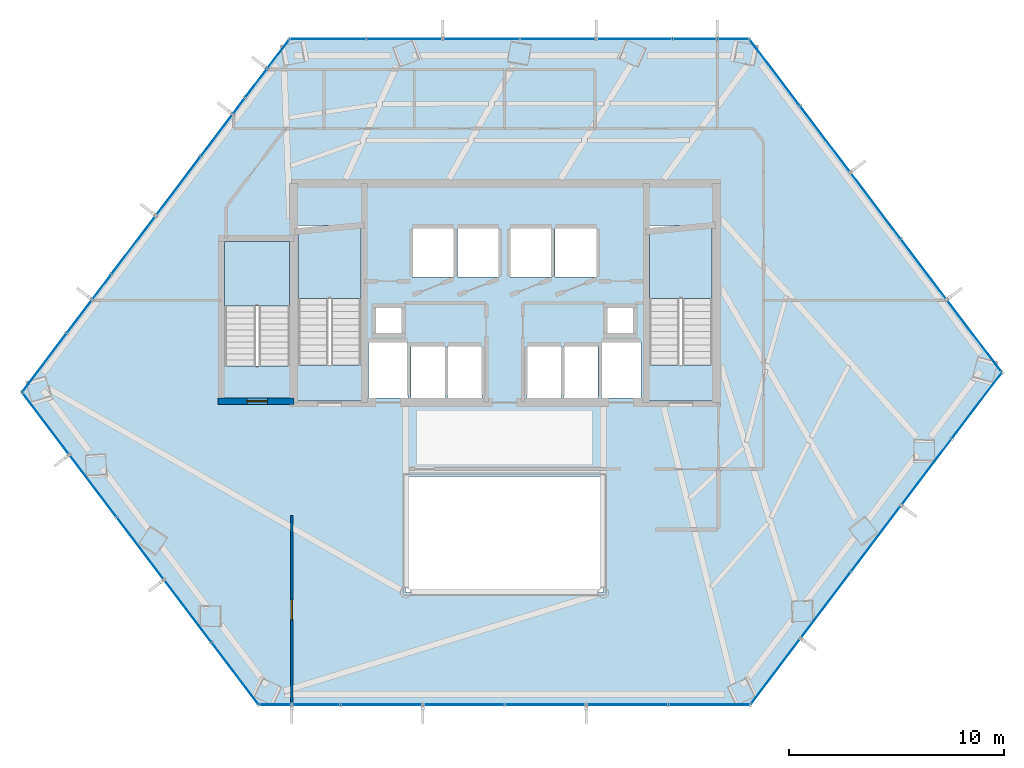
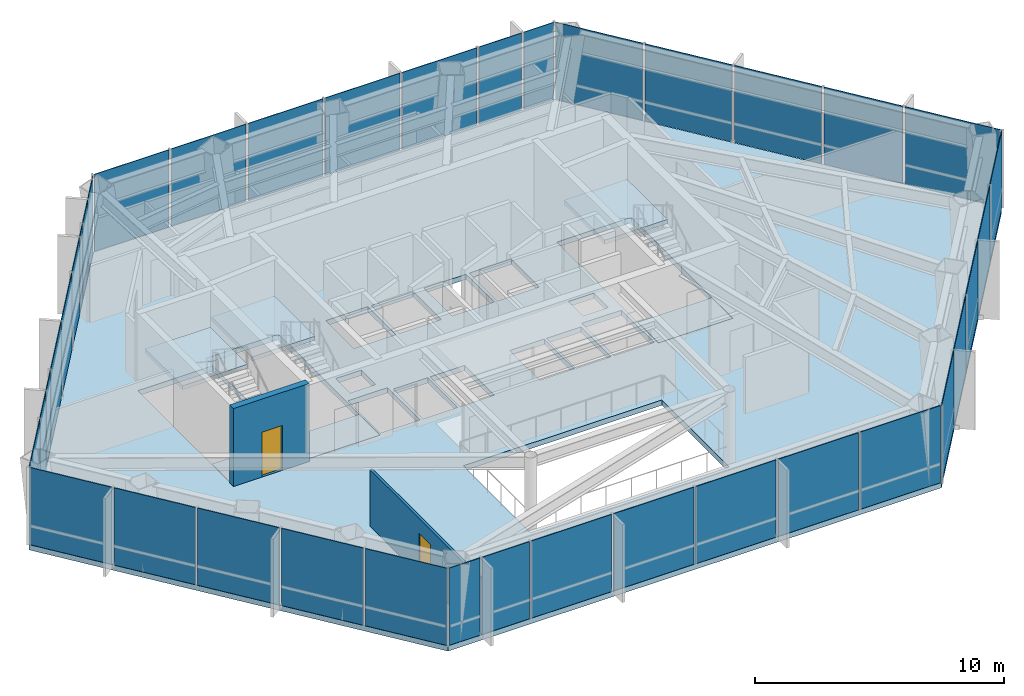
# One storey, part 22 of 26: 38 plates, 7 slabs, 2 doors, 2 walls, 2 openings, 9 elements without a shape of their own.
"""IFC4 building model written with IfcOpenShell, lengths in metres."""

from ifc_helpers import new_model, si_unit, direction, frame, frame_2d, origin, origin_2d, place, context, subcontext, project, spatial, polyline, rectangle, outline, extrude, material, layer, layer_set, type_object, element, fill, aggregate, save


model = new_model("IFC4")

# Units and contexts
model_context = context("Model", 3, precision=1e-05, world=origin(), true_north=direction((0.0, 1.0)))
body_context = subcontext(model_context, "Body", "Model", "MODEL_VIEW")
ifc_project = project(units=[si_unit("LENGTHUNIT", "METRE"), si_unit("AREAUNIT", "SQUARE_METRE"), si_unit("VOLUMEUNIT", "CUBIC_METRE"), si_unit("PLANEANGLEUNIT", "RADIAN"), si_unit("MASSUNIT", "GRAM", prefix="KILO")], contexts=[model_context])

# Site, building, storey
site_placement = place(None, origin())
site = spatial("IfcSite", under=ifc_project, at=site_placement, CompositionType="ELEMENT")
building_placement = place(site_placement, origin())
building = spatial("IfcBuilding", under=site, at=building_placement, Name="Zarrinselat Tower", CompositionType="ELEMENT")
storey_placement = place(building_placement, frame((0.0, 0.0, 35.699951171875)))
storey = spatial("IfcBuildingStorey", under=building, at=storey_placement, Name="L08", CompositionType="ELEMENT", Elevation=35.699951171875)

# Curtain wall, plates
ifc_material_1 = material(Name="Extruded Aluminium Alloy EN AW-6063 T6", Category="aluminium")
ifc_layer_1 = layer(ifc_material_1, 0.18505859375)
ifc_layer_set_1 = layer_set([ifc_layer_1], Name="Extruded Aluminium Alloy EN AW-6063 T6")
curtain_wall_type = type_object("IfcCurtainWallType", Name="CWS-OFF", PredefinedType="NOTDEFINED", material=ifc_layer_set_1)
curtain_wall_1_placement = place(storey_placement, origin())
curtain_wall_1 = element("IfcCurtainWall", 1, at=curtain_wall_1_placement, inside=storey, type_object=curtain_wall_type, Name="L08 Unitised Curtain Wall CW-L08-E01", PredefinedType="NOTDEFINED")
ifc_material_2 = material(Name="Double Low-E Laminated Solar Glass", Category="glass")
ifc_layer_2 = layer(ifc_material_2, 0.031982421875)
ifc_layer_set_2 = layer_set([ifc_layer_2], Name="Double Low-E Laminated Solar Glass")
plate_type = type_object("IfcPlateType", Name="PLT-CW-GL32", PredefinedType="CURTAIN_PANEL", material=ifc_layer_set_2)
plate_1_placement = place(storey_placement, frame((49.044677734375, 50.1611328125, 0.02001953125), z_axis=(0.0, 0.0, 1.0), x_axis=(-1.0, 0.0, 0.0)))
plate_1 = element("IfcPlate", 2, at=plate_1_placement, type_object=plate_type, Name="CW-L08-E01 Vision Glass Panel 1", PredefinedType="CURTAIN_PANEL", context=body_context, shape_type="SweptSolid", body=[
    extrude(rectangle(XDim=1.389404296875, YDim=0.031982421875, at=origin_2d()), origin(), (0.0, 0.0, 1.0), 3.780029296875),
])
plate_2_placement = place(storey_placement, frame((47.26220703125, 50.1611328125, 0.02001953125), z_axis=(0.0, 0.0, 1.0), x_axis=(-1.0, 0.0, 0.0)))
plate_2 = element("IfcPlate", 3, at=plate_2_placement, type_object=plate_type, Name="CW-L08-E01 Vision Glass Panel 2", PredefinedType="CURTAIN_PANEL", context=body_context, shape_type="SweptSolid", body=[
    extrude(rectangle(XDim=1.9755859375, YDim=0.031982421875, at=origin_2d()), origin(), (0.0, 0.0, 1.0), 3.780029296875),
])
plate_3_placement = place(storey_placement, frame((44.44189453125, 50.1611328125, 0.02001953125), z_axis=(0.0, 0.0, 1.0), x_axis=(-1.0, 0.0, 0.0)))
plate_3 = element("IfcPlate", 4, at=plate_3_placement, type_object=plate_type, Name="CW-L08-E01 Vision Glass Panel 3", PredefinedType="CURTAIN_PANEL", context=body_context, shape_type="SweptSolid", body=[
    extrude(rectangle(XDim=3.465087890625, YDim=0.031982421875, at=origin_2d()), origin(), (0.0, 0.0, 1.0), 3.780029296875),
])
plate_4_placement = place(storey_placement, frame((40.876953125, 50.1611328125, 0.02001953125), z_axis=(0.0, 0.0, 1.0), x_axis=(-1.0, 0.0, 0.0)))
plate_4 = element("IfcPlate", 5, at=plate_4_placement, type_object=plate_type, Name="CW-L08-E01 Vision Glass Panel 4", PredefinedType="CURTAIN_PANEL", context=body_context, shape_type="SweptSolid", body=[
    extrude(rectangle(XDim=3.465087890625, YDim=0.031982421875, at=origin_2d()), origin(), (0.0, 0.0, 1.0), 3.780029296875),
])
plate_5_placement = place(storey_placement, frame((37.31201171875, 50.1611328125, 0.02001953125), z_axis=(0.0, 0.0, 1.0), x_axis=(-1.0, 0.0, 0.0)))
plate_5 = element("IfcPlate", 6, at=plate_5_placement, type_object=plate_type, Name="CW-L08-E01 Vision Glass Panel 5", PredefinedType="CURTAIN_PANEL", context=body_context, shape_type="SweptSolid", body=[
    extrude(rectangle(XDim=3.465087890625, YDim=0.031982421875, at=origin_2d()), origin(), (0.0, 0.0, 1.0), 3.780029296875),
])
plate_6_placement = place(storey_placement, frame((33.746826171875, 50.1611328125, 0.02001953125), z_axis=(0.0, 0.0, 1.0), x_axis=(-1.0, 0.0, 0.0)))
plate_6 = element("IfcPlate", 7, at=plate_6_placement, type_object=plate_type, Name="CW-L08-E01 Vision Glass Panel 6", PredefinedType="CURTAIN_PANEL", context=body_context, shape_type="SweptSolid", body=[
    extrude(rectangle(XDim=3.465087890625, YDim=0.031982421875, at=origin_2d()), origin(), (0.0, 0.0, 1.0), 3.780029296875),
])
plate_7_placement = place(storey_placement, frame((30.181884765625, 50.1611328125, 0.02001953125), z_axis=(0.0, 0.0, 1.0), x_axis=(-1.0, 0.0, 0.0)))
plate_7 = element("IfcPlate", 8, at=plate_7_placement, type_object=plate_type, Name="CW-L08-E01 Vision Glass Panel 7", PredefinedType="CURTAIN_PANEL", context=body_context, shape_type="SweptSolid", body=[
    extrude(rectangle(XDim=3.465087890625, YDim=0.031982421875, at=origin_2d()), origin(), (0.0, 0.0, 1.0), 3.780029296875),
])
aggregate(curtain_wall_1, [plate_1, plate_2, plate_3, plate_4, plate_5, plate_6, plate_7])

curtain_wall_2_placement = place(storey_placement, origin())
curtain_wall_2 = element("IfcCurtainWall", 9, at=curtain_wall_2_placement, inside=storey, type_object=curtain_wall_type, Name="L08 Unitised Curtain Wall CW-L08-E02", PredefinedType="NOTDEFINED")
plate_8_placement = place(storey_placement, frame((27.878662109375, 49.4736328125, 0.02001953125), z_axis=(0.0, 0.0, 1.0), x_axis=(-0.603858715485, -0.797091369752, 0.0)))
plate_8 = element("IfcPlate", 10, at=plate_8_placement, type_object=plate_type, Name="CW-L08-E02 Vision Glass Panel 1", PredefinedType="CURTAIN_PANEL", context=body_context, shape_type="SweptSolid", body=[
    extrude(rectangle(XDim=1.624755859375, YDim=0.031982421875, at=origin_2d()), origin(), (0.0, 0.0, 1.0), 3.780029296875),
])
plate_9_placement = place(storey_placement, frame((26.84130859375, 48.1044921875, 0.02001953125), z_axis=(0.0, 0.0, 1.0), x_axis=(-0.603858715485, -0.797091369752, 0.0)))
plate_9 = element("IfcPlate", 11, at=plate_9_placement, type_object=plate_type, Name="CW-L08-E02 Vision Glass Panel 2", PredefinedType="CURTAIN_PANEL", context=body_context, shape_type="SweptSolid", body=[
    extrude(rectangle(XDim=1.610595703125, YDim=0.031982421875, at=origin_2d()), origin(), (0.0, 0.0, 1.0), 3.780029296875),
])
plate_10_placement = place(storey_placement, frame((26.03857421875, 47.044921875, 0.02001953125), z_axis=(0.0, 0.0, 1.0), x_axis=(-0.603858715485, -0.797091369752, 0.0)))
plate_10 = element("IfcPlate", 12, at=plate_10_placement, type_object=plate_type, Name="CW-L08-E02 Vision Glass Panel 3", PredefinedType="CURTAIN_PANEL", context=body_context, shape_type="SweptSolid", body=[
    extrude(rectangle(XDim=0.8486328125, YDim=0.031982421875, at=origin_2d()), origin(), (0.0, 0.0, 1.0), 3.780029296875),
])
plate_11_placement = place(storey_placement, frame((25.001220703125, 45.67578125, 0.02001953125), z_axis=(0.0, 0.0, 1.0), x_axis=(-0.603858715485, -0.797091369752, 0.0)))
plate_11 = element("IfcPlate", 13, at=plate_11_placement, type_object=plate_type, Name="CW-L08-E02 Vision Glass Panel 4", PredefinedType="CURTAIN_PANEL", context=body_context, shape_type="SweptSolid", body=[
    extrude(rectangle(XDim=2.38671875, YDim=0.031982421875, at=origin_2d()), origin(), (0.0, 0.0, 1.0), 3.780029296875),
])
plate_12_placement = place(storey_placement, frame((23.21337890625, 43.3154296875, 0.02001953125), z_axis=(0.0, 0.0, 1.0), x_axis=(-0.603858715485, -0.797091369752, 0.0)))
plate_12 = element("IfcPlate", 14, at=plate_12_placement, type_object=plate_type, Name="CW-L08-E02 Vision Glass Panel 5", PredefinedType="CURTAIN_PANEL", context=body_context, shape_type="SweptSolid", body=[
    extrude(rectangle(XDim=3.335205078125, YDim=0.031982421875, at=origin_2d()), origin(), (0.0, 0.0, 1.0), 3.780029296875),
])
plate_13_placement = place(storey_placement, frame((21.138916015625, 40.5771484375, 0.02001953125), z_axis=(0.0, 0.0, 1.0), x_axis=(-0.603858715485, -0.797091369752, 0.0)))
plate_13 = element("IfcPlate", 15, at=plate_13_placement, type_object=plate_type, Name="CW-L08-E02 Vision Glass Panel 6", PredefinedType="CURTAIN_PANEL", context=body_context, shape_type="SweptSolid", body=[
    extrude(rectangle(XDim=3.335205078125, YDim=0.031982421875, at=origin_2d()), origin(), (0.0, 0.0, 1.0), 3.780029296875),
])
plate_14_placement = place(storey_placement, frame((19.65771484375, 38.6220703125, 0.02001953125), z_axis=(0.0, 0.0, 1.0), x_axis=(-0.603858715485, -0.797091369752, 0.0)))
plate_14 = element("IfcPlate", 16, at=plate_14_placement, type_object=plate_type, Name="CW-L08-E02 Vision Glass Panel 7", PredefinedType="CURTAIN_PANEL", context=body_context, shape_type="SweptSolid", body=[
    extrude(rectangle(XDim=1.3701171875, YDim=0.031982421875, at=origin_2d()), origin(), (0.0, 0.0, 1.0), 3.780029296875),
])
plate_15_placement = place(storey_placement, frame((18.62060546875, 37.2529296875, 0.02001953125), z_axis=(0.0, 0.0, 1.0), x_axis=(-0.603858715485, -0.797091369752, 0.0)))
plate_15 = element("IfcPlate", 17, at=plate_15_placement, type_object=plate_type, Name="CW-L08-E02 Vision Glass Panel 8", PredefinedType="CURTAIN_PANEL", context=body_context, shape_type="SweptSolid", body=[
    extrude(rectangle(XDim=1.865234375, YDim=0.031982421875, at=origin_2d()), origin(), (0.0, 0.0, 1.0), 3.780029296875),
])
plate_16_placement = place(storey_placement, frame((16.989990234375, 35.1005859375, 0.02001953125), z_axis=(0.0, 0.0, 1.0), x_axis=(-0.603858715485, -0.797091369752, 0.0)))
plate_16 = element("IfcPlate", 18, at=plate_16_placement, type_object=plate_type, Name="CW-L08-E02 Vision Glass Panel 9", PredefinedType="CURTAIN_PANEL", context=body_context, shape_type="SweptSolid", body=[
    extrude(rectangle(XDim=3.335205078125, YDim=0.031982421875, at=origin_2d()), origin(), (0.0, 0.0, 1.0), 3.780029296875),
])
aggregate(curtain_wall_2, [plate_8, plate_9, plate_10, plate_11, plate_12, plate_13, plate_14, plate_15, plate_16])

curtain_wall_3_placement = place(storey_placement, origin())
curtain_wall_3 = element("IfcCurtainWall", 19, at=curtain_wall_3_placement, inside=storey, type_object=curtain_wall_type, Name="L08 Unitised Curtain Wall CW-L08-E03", PredefinedType="NOTDEFINED")
plate_17_placement = place(storey_placement, frame((17.05419921875, 32.27734375, 0.02001953125), z_axis=(0.0, 0.0, 1.0), x_axis=(0.603858215687, -0.797091748388, 0.0)))
plate_17 = element("IfcPlate", 20, at=plate_17_placement, type_object=plate_type, Name="CW-L08-E03 Vision Glass Panel 1", PredefinedType="CURTAIN_PANEL", context=body_context, shape_type="SweptSolid", body=[
    extrude(rectangle(XDim=3.548583984375, YDim=0.031982421875, at=origin_2d()), origin(), (0.0, 0.0, 1.0), 3.780029296875),
])
plate_18_placement = place(storey_placement, frame((19.257568359375, 29.369140625, 0.02001953125), z_axis=(0.0, 0.0, 1.0), x_axis=(0.603858215687, -0.797091748388, 0.0)))
plate_18 = element("IfcPlate", 21, at=plate_18_placement, type_object=plate_type, Name="CW-L08-E03 Vision Glass Panel 2", PredefinedType="CURTAIN_PANEL", context=body_context, shape_type="SweptSolid", body=[
    extrude(rectangle(XDim=3.548583984375, YDim=0.031982421875, at=origin_2d()), origin(), (0.0, 0.0, 1.0), 3.780029296875),
])
plate_19_placement = place(storey_placement, frame((21.460693359375, 26.4609375, 0.02001953125), z_axis=(0.0, 0.0, 1.0), x_axis=(0.603858215687, -0.797091748388, 0.0)))
plate_19 = element("IfcPlate", 22, at=plate_19_placement, type_object=plate_type, Name="CW-L08-E03 Vision Glass Panel 3", PredefinedType="CURTAIN_PANEL", context=body_context, shape_type="SweptSolid", body=[
    extrude(rectangle(XDim=3.548583984375, YDim=0.031982421875, at=origin_2d()), origin(), (0.0, 0.0, 1.0), 3.780029296875),
])
plate_20_placement = place(storey_placement, frame((23.663818359375, 23.552734375, 0.02001953125), z_axis=(0.0, 0.0, 1.0), x_axis=(0.603858215687, -0.797091748388, 0.0)))
plate_20 = element("IfcPlate", 23, at=plate_20_placement, type_object=plate_type, Name="CW-L08-E03 Vision Glass Panel 4", PredefinedType="CURTAIN_PANEL", context=body_context, shape_type="SweptSolid", body=[
    extrude(rectangle(XDim=3.548583984375, YDim=0.031982421875, at=origin_2d()), origin(), (0.0, 0.0, 1.0), 3.780029296875),
])
plate_21_placement = place(storey_placement, frame((25.8671875, 20.64453125, 0.02001953125), z_axis=(0.0, 0.0, 1.0), x_axis=(0.603858215687, -0.797091748388, 0.0)))
plate_21 = element("IfcPlate", 24, at=plate_21_placement, type_object=plate_type, Name="CW-L08-E03 Vision Glass Panel 5", PredefinedType="CURTAIN_PANEL", context=body_context, shape_type="SweptSolid", body=[
    extrude(rectangle(XDim=3.548583984375, YDim=0.031982421875, at=origin_2d()), origin(), (0.0, 0.0, 1.0), 3.780029296875),
])
aggregate(curtain_wall_3, [plate_17, plate_18, plate_19, plate_20, plate_21])

curtain_wall_4_placement = place(storey_placement, origin())
curtain_wall_4 = element("IfcCurtainWall", 25, at=curtain_wall_4_placement, inside=storey, type_object=curtain_wall_type, Name="L08 Unitised Curtain Wall CW-L08-E04", PredefinedType="NOTDEFINED")
plate_22_placement = place(storey_placement, frame((27.734375, 19.1904296875, 0.02001953125), z_axis=(0.0, 0.0, 1.0), x_axis=(1.0, 0.0, 0.0)))
plate_22 = element("IfcPlate", 26, at=plate_22_placement, type_object=plate_type, Name="CW-L08-E04 Vision Glass Panel 1", PredefinedType="CURTAIN_PANEL", context=body_context, shape_type="SweptSolid", body=[
    extrude(rectangle(XDim=1.431396484375, YDim=0.031982421875, at=origin_2d()), origin(), (0.0, 0.0, 1.0), 3.780029296875),
])
plate_23_placement = place(storey_placement, frame((29.6396484375, 19.1904296875, 0.02001953125), z_axis=(0.0, 0.0, 1.0), x_axis=(1.0, 0.0, 0.0)))
plate_23 = element("IfcPlate", 27, at=plate_23_placement, type_object=plate_type, Name="CW-L08-E04 Vision Glass Panel 2", PredefinedType="CURTAIN_PANEL", context=body_context, shape_type="SweptSolid", body=[
    extrude(rectangle(XDim=2.17919921875, YDim=0.031982421875, at=origin_2d()), origin(), (0.0, 0.0, 1.0), 3.780029296875),
])
plate_24_placement = place(storey_placement, frame((32.684326171875, 19.1904296875, 0.02001953125), z_axis=(0.0, 0.0, 1.0), x_axis=(1.0, 0.0, 0.0)))
plate_24 = element("IfcPlate", 28, at=plate_24_placement, type_object=plate_type, Name="CW-L08-E04 Vision Glass Panel 3", PredefinedType="CURTAIN_PANEL", context=body_context, shape_type="SweptSolid", body=[
    extrude(rectangle(XDim=3.71044921875, YDim=0.031982421875, at=origin_2d()), origin(), (0.0, 0.0, 1.0), 3.780029296875),
])
plate_25_placement = place(storey_placement, frame((36.494873046875, 19.1904296875, 0.02001953125), z_axis=(0.0, 0.0, 1.0), x_axis=(1.0, 0.0, 0.0)))
plate_25 = element("IfcPlate", 29, at=plate_25_placement, type_object=plate_type, Name="CW-L08-E04 Vision Glass Panel 4", PredefinedType="CURTAIN_PANEL", context=body_context, shape_type="SweptSolid", body=[
    extrude(rectangle(XDim=3.71044921875, YDim=0.031982421875, at=origin_2d()), origin(), (0.0, 0.0, 1.0), 3.780029296875),
])
plate_26_placement = place(storey_placement, frame((40.30517578125, 19.1904296875, 0.02001953125), z_axis=(0.0, 0.0, 1.0), x_axis=(1.0, 0.0, 0.0)))
plate_26 = element("IfcPlate", 30, at=plate_26_placement, type_object=plate_type, Name="CW-L08-E04 Vision Glass Panel 5", PredefinedType="CURTAIN_PANEL", context=body_context, shape_type="SweptSolid", body=[
    extrude(rectangle(XDim=3.71044921875, YDim=0.031982421875, at=origin_2d()), origin(), (0.0, 0.0, 1.0), 3.780029296875),
])
plate_27_placement = place(storey_placement, frame((44.11572265625, 19.1904296875, 0.02001953125), z_axis=(0.0, 0.0, 1.0), x_axis=(1.0, 0.0, 0.0)))
plate_27 = element("IfcPlate", 31, at=plate_27_placement, type_object=plate_type, Name="CW-L08-E04 Vision Glass Panel 6", PredefinedType="CURTAIN_PANEL", context=body_context, shape_type="SweptSolid", body=[
    extrude(rectangle(XDim=3.71044921875, YDim=0.031982421875, at=origin_2d()), origin(), (0.0, 0.0, 1.0), 3.780029296875),
])
plate_28_placement = place(storey_placement, frame((47.926025390625, 19.1904296875, 0.02001953125), z_axis=(0.0, 0.0, 1.0), x_axis=(1.0, 0.0, 0.0)))
plate_28 = element("IfcPlate", 32, at=plate_28_placement, type_object=plate_type, Name="CW-L08-E04 Vision Glass Panel 7", PredefinedType="CURTAIN_PANEL", context=body_context, shape_type="SweptSolid", body=[
    extrude(rectangle(XDim=3.71044921875, YDim=0.031982421875, at=origin_2d()), origin(), (0.0, 0.0, 1.0), 3.780029296875),
])
aggregate(curtain_wall_4, [plate_22, plate_23, plate_24, plate_25, plate_26, plate_27, plate_28])

curtain_wall_5_placement = place(storey_placement, origin())
curtain_wall_5 = element("IfcCurtainWall", 33, at=curtain_wall_5_placement, inside=storey, type_object=curtain_wall_type, Name="L08 Unitised Curtain Wall CW-L08-E05", PredefinedType="NOTDEFINED")
plate_29_placement = place(storey_placement, frame((51.002197265625, 20.736083984375, 0.02001953125), z_axis=(0.0, 0.0, 1.0), x_axis=(0.603858382963, 0.797091621663, 0.0)))
plate_29 = element("IfcPlate", 34, at=plate_29_placement, type_object=plate_type, Name="CW-L08-E05 Vision Glass Panel 1", PredefinedType="CURTAIN_PANEL", context=body_context, shape_type="SweptSolid", body=[
    extrude(rectangle(XDim=3.778564453125, YDim=0.031982421875, at=origin_2d()), origin(), (0.0, 0.0, 1.0), 3.780029296875),
])
plate_30_placement = place(storey_placement, frame((53.344482421875, 23.82763671875, 0.02001953125), z_axis=(0.0, 0.0, 1.0), x_axis=(0.603858382963, 0.797091621663, 0.0)))
plate_30 = element("IfcPlate", 35, at=plate_30_placement, type_object=plate_type, Name="CW-L08-E05 Vision Glass Panel 2", PredefinedType="CURTAIN_PANEL", context=body_context, shape_type="SweptSolid", body=[
    extrude(rectangle(XDim=3.778564453125, YDim=0.031982421875, at=origin_2d()), origin(), (0.0, 0.0, 1.0), 3.780029296875),
])
plate_31_placement = place(storey_placement, frame((55.6865234375, 26.919189453125, 0.02001953125), z_axis=(0.0, 0.0, 1.0), x_axis=(0.603858382963, 0.797091621663, 0.0)))
plate_31 = element("IfcPlate", 36, at=plate_31_placement, type_object=plate_type, Name="CW-L08-E05 Vision Glass Panel 3", PredefinedType="CURTAIN_PANEL", context=body_context, shape_type="SweptSolid", body=[
    extrude(rectangle(XDim=3.778564453125, YDim=0.031982421875, at=origin_2d()), origin(), (0.0, 0.0, 1.0), 3.780029296875),
])
plate_32_placement = place(storey_placement, frame((58.028564453125, 30.0107421875, 0.02001953125), z_axis=(0.0, 0.0, 1.0), x_axis=(0.603858382963, 0.797091621663, 0.0)))
plate_32 = element("IfcPlate", 37, at=plate_32_placement, type_object=plate_type, Name="CW-L08-E05 Vision Glass Panel 4", PredefinedType="CURTAIN_PANEL", context=body_context, shape_type="SweptSolid", body=[
    extrude(rectangle(XDim=3.778564453125, YDim=0.031982421875, at=origin_2d()), origin(), (0.0, 0.0, 1.0), 3.780029296875),
])
plate_33_placement = place(storey_placement, frame((60.37060546875, 33.102294921875, 0.02001953125), z_axis=(0.0, 0.0, 1.0), x_axis=(0.603858382963, 0.797091621663, 0.0)))
plate_33 = element("IfcPlate", 38, at=plate_33_placement, type_object=plate_type, Name="CW-L08-E05 Vision Glass Panel 5", PredefinedType="CURTAIN_PANEL", context=body_context, shape_type="SweptSolid", body=[
    extrude(rectangle(XDim=3.778564453125, YDim=0.031982421875, at=origin_2d()), origin(), (0.0, 0.0, 1.0), 3.780029296875),
])
aggregate(curtain_wall_5, [plate_29, plate_30, plate_31, plate_32, plate_33])

curtain_wall_6_placement = place(storey_placement, origin())
curtain_wall_6 = element("IfcCurtainWall", 39, at=curtain_wall_6_placement, inside=storey, type_object=curtain_wall_type, Name="L08 Unitised Curtain Wall CW-L08-E06", PredefinedType="NOTDEFINED")
plate_34_placement = place(storey_placement, frame((60.25830078125, 36.34228515625, 0.02001953125), z_axis=(0.0, 0.0, 1.0), x_axis=(-0.603858578341, 0.797091473649, 0.0)))
plate_34 = element("IfcPlate", 40, at=plate_34_placement, type_object=plate_type, Name="CW-L08-E06 Vision Glass Panel 1", PredefinedType="CURTAIN_PANEL", context=body_context, shape_type="SweptSolid", body=[
    extrude(rectangle(XDim=4.150634765625, YDim=0.031982421875, at=origin_2d()), origin(), (0.0, 0.0, 1.0), 3.780029296875),
])
plate_35_placement = place(storey_placement, frame((57.907958984375, 39.44482421875, 0.02001953125), z_axis=(0.0, 0.0, 1.0), x_axis=(-0.603858578341, 0.797091473649, 0.0)))
plate_35 = element("IfcPlate", 41, at=plate_35_placement, type_object=plate_type, Name="CW-L08-E06 Vision Glass Panel 2", PredefinedType="CURTAIN_PANEL", context=body_context, shape_type="SweptSolid", body=[
    extrude(rectangle(XDim=3.43408203125, YDim=0.031982421875, at=origin_2d()), origin(), (0.0, 0.0, 1.0), 3.780029296875),
])
plate_36_placement = place(storey_placement, frame((55.66552734375, 42.404541015625, 0.02001953125), z_axis=(0.0, 0.0, 1.0), x_axis=(-0.603858578341, 0.797091473649, 0.0)))
plate_36 = element("IfcPlate", 42, at=plate_36_placement, type_object=plate_type, Name="CW-L08-E06 Vision Glass Panel 3", PredefinedType="CURTAIN_PANEL", context=body_context, shape_type="SweptSolid", body=[
    extrude(rectangle(XDim=3.79248046875, YDim=0.031982421875, at=origin_2d()), origin(), (0.0, 0.0, 1.0), 3.780029296875),
])
plate_37_placement = place(storey_placement, frame((53.315185546875, 45.507080078125, 0.02001953125), z_axis=(0.0, 0.0, 1.0), x_axis=(-0.603858578341, 0.797091473649, 0.0)))
plate_37 = element("IfcPlate", 43, at=plate_37_placement, type_object=plate_type, Name="CW-L08-E06 Vision Glass Panel 4", PredefinedType="CURTAIN_PANEL", context=body_context, shape_type="SweptSolid", body=[
    extrude(rectangle(XDim=3.79248046875, YDim=0.031982421875, at=origin_2d()), origin(), (0.0, 0.0, 1.0), 3.780029296875),
])
plate_38_placement = place(storey_placement, frame((50.964599609375, 48.60986328125, 0.02001953125), z_axis=(0.0, 0.0, 1.0), x_axis=(-0.603858578341, 0.797091473649, 0.0)))
plate_38 = element("IfcPlate", 44, at=plate_38_placement, type_object=plate_type, Name="CW-L08-E06 Vision Glass Panel 5", PredefinedType="CURTAIN_PANEL", context=body_context, shape_type="SweptSolid", body=[
    extrude(rectangle(XDim=3.79248046875, YDim=0.031982421875, at=origin_2d()), origin(), (0.0, 0.0, 1.0), 3.780029296875),
])
aggregate(curtain_wall_6, [plate_34, plate_35, plate_36, plate_37, plate_38])

# Slabs
ifc_material_3 = material(Name="Concrete C40/50", Category="concrete")
ifc_layer_3 = layer(ifc_material_3, 0.260009765625)
ifc_layer_set_3 = layer_set([ifc_layer_3], Name="Concrete C40/50")
slab_type_1 = type_object("IfcSlabType", Name="SLB-FLOOR-260-SL-OF260", PredefinedType="FLOOR", material=ifc_layer_set_3)
slab_1_placement = place(storey_placement, frame((0.0, 0.0, -0.260009765625)))
element("IfcSlab", 45, at=slab_1_placement, inside=storey, type_object=slab_type_1, Name="L08 Primary Structural Slab", PredefinedType="FLOOR", context=body_context, shape_type="SweptSolid", body=[
    extrude(outline(polyline([(49.789306640625, 50.1611328125), (28.3994140625, 50.1611328125), (15.95263671875, 33.7314453125), (26.96875, 19.1904296875), (49.831298828125, 19.1904296875), (61.541748046875, 34.648193359375), (49.789306640625, 50.1611328125)]), holes=[polyline([(34.050048828125, 33.449951171875), (34.050048828125, 35.85009765625), (35.64990234375, 35.85009765625), (35.64990234375, 33.449951171875), (34.050048828125, 33.449951171875)]), polyline([(35.75, 33.449951171875), (35.75, 35.85009765625), (37.35009765625, 35.85009765625), (37.35009765625, 33.449951171875), (35.75, 33.449951171875)]), polyline([(32.06005859375, 33.449951171875), (32.06005859375, 36.050048828125), (33.89990234375, 36.050048828125), (33.89990234375, 33.449951171875), (32.06005859375, 33.449951171875)]), polyline([(32.419921875, 36.47998046875), (32.419921875, 37.639892578125), (33.60009765625, 37.639892578125), (33.60009765625, 36.47998046875), (32.419921875, 36.47998046875)]), polyline([(28.594970703125, 33.324951171875), (25.114990234375, 33.324951171875), (25.114990234375, 40.875), (28.594970703125, 40.875), (28.594970703125, 33.324951171875)]), polyline([(31.985107421875, 33.324951171875), (28.60498046875, 33.324951171875), (28.60498046875, 41.47509765625), (31.985107421875, 41.47509765625), (31.985107421875, 33.324951171875)]), polyline([(34.10009765625, 39.10009765625), (34.10009765625, 41.35009765625), (36.050048828125, 41.35009765625), (36.050048828125, 39.10009765625), (34.10009765625, 39.10009765625)]), polyline([(36.199951171875, 39.10009765625), (36.199951171875, 41.35009765625), (38.14990234375, 41.35009765625), (38.14990234375, 39.10009765625), (36.199951171875, 39.10009765625)]), polyline([(33.800048828125, 24.39990234375), (33.800048828125, 29.800048828125), (43.0, 29.800048828125), (43.0, 24.39990234375), (33.800048828125, 24.39990234375)]), polyline([(39.449951171875, 33.449951171875), (39.449951171875, 35.85009765625), (41.050048828125, 35.85009765625), (41.050048828125, 33.449951171875), (39.449951171875, 33.449951171875)]), polyline([(41.14990234375, 33.449951171875), (41.14990234375, 35.85009765625), (42.75, 35.85009765625), (42.75, 33.449951171875), (41.14990234375, 33.449951171875)]), polyline([(42.89990234375, 33.449951171875), (42.89990234375, 36.050048828125), (44.739990234375, 36.050048828125), (44.739990234375, 33.449951171875), (42.89990234375, 33.449951171875)]), polyline([(43.199951171875, 36.47998046875), (43.199951171875, 37.639892578125), (44.3798828125, 37.639892578125), (44.3798828125, 36.47998046875), (43.199951171875, 36.47998046875)]), polyline([(48.324951171875, 33.324951171875), (44.875, 33.324951171875), (44.875, 41.47509765625), (48.324951171875, 41.47509765625), (48.324951171875, 33.324951171875)]), polyline([(38.64990234375, 39.10009765625), (38.64990234375, 41.35009765625), (40.60009765625, 41.35009765625), (40.60009765625, 39.10009765625), (38.64990234375, 39.10009765625)]), polyline([(40.75, 39.10009765625), (40.75, 41.35009765625), (42.699951171875, 41.35009765625), (42.699951171875, 39.10009765625), (40.75, 39.10009765625)])]), origin(), (0.0, 0.0, 1.0), 0.260009765625),
])
slab_2_placement = place(storey_placement, frame((0.0, 0.0, -0.260009765625)))
element("IfcSlab", 46, at=slab_2_placement, inside=storey, type_object=slab_type_1, Name="L08 Stair ST-1-FL1 Structural Floor Landing", PredefinedType="FLOOR", context=body_context, shape_type="SweptSolid", body=[
    extrude(outline(polyline([(31.97998046875, 33.330078125), (31.97998046875, 35.0), (28.610107421875, 35.0), (28.610107421875, 33.330078125), (31.97998046875, 33.330078125)])), origin(), (0.0, 0.0, 1.0), 0.260009765625),
])
slab_3_placement = place(storey_placement, frame((0.0, 0.0, -0.260009765625)))
element("IfcSlab", 47, at=slab_3_placement, inside=storey, type_object=slab_type_1, Name="L08 Stair ST-2-FL1 Structural Floor Landing", PredefinedType="FLOOR", context=body_context, shape_type="SweptSolid", body=[
    extrude(outline(polyline([(48.320068359375, 33.330078125), (48.320068359375, 35.0), (44.8798828125, 35.0), (44.8798828125, 33.330078125), (48.320068359375, 33.330078125)])), origin(), (0.0, 0.0, 1.0), 0.260009765625),
])
slab_4_placement = place(storey_placement, frame((0.0, 0.0, -0.260009765625)))
element("IfcSlab", 48, at=slab_4_placement, inside=storey, type_object=slab_type_1, Name="L08 Stair ST-3-FL1 Structural Floor Landing", PredefinedType="FLOOR", context=body_context, shape_type="SweptSolid", body=[
    extrude(outline(polyline([(28.590087890625, 33.330078125), (28.590087890625, 34.949951171875), (25.1201171875, 34.949951171875), (25.1201171875, 33.330078125), (28.590087890625, 33.330078125)])), origin(), (0.0, 0.0, 1.0), 0.260009765625),
])

# Stair, slab
ifc_material_4 = material(Name="Concrete C40/50", Category="concrete")
stair_type_1 = type_object("IfcStairType", Name="STR-CORE-145", PredefinedType="HALF_TURN_STAIR", material=ifc_material_4)
stair_1_placement = place(storey_placement, origin())
stair_1 = element("IfcStair", 49, at=stair_1_placement, inside=storey, type_object=stair_type_1, Name="L08 Podium & Mid-Tower Exit Stair 3", PredefinedType="HALF_TURN_STAIR")
ifc_material_5 = material(Name="Concrete C40/50", Category="concrete")
ifc_layer_4 = layer(ifc_material_5, 0.1650390625)
ifc_layer_set_4 = layer_set([ifc_layer_4], Name="Concrete C40/50")
slab_type_2 = type_object("IfcSlabType", Name="SLB-LND-165", PredefinedType="LANDING", material=ifc_layer_set_4)
slab_5_placement = place(storey_placement, frame((0.0, 0.0, 1.840087890625)))
slab_5 = element("IfcSlab", 50, at=slab_5_placement, type_object=slab_type_2, Name="ST-3 landing 1", PredefinedType="LANDING", context=body_context, shape_type="SweptSolid", body=[
    extrude(outline(polyline([(28.39990234375, 37.75), (28.39990234375, 40.75), (25.3798828125, 40.75), (25.3798828125, 37.75), (28.39990234375, 37.75)])), origin(), (0.0, 0.0, 1.0), 0.199951171875),
])
aggregate(stair_1, [slab_5])

ifc_material_6 = material(Name="Concrete C40/50", Category="concrete")
stair_type_2 = type_object("IfcStairType", Name="STR-CORE-155", PredefinedType="HALF_TURN_STAIR", material=ifc_material_6)
stair_2_placement = place(storey_placement, origin())
stair_2 = element("IfcStair", 51, at=stair_2_placement, inside=storey, type_object=stair_type_2, Name="L08 Core Exit Stair 1", PredefinedType="HALF_TURN_STAIR")
ifc_material_7 = material(Name="Concrete C40/50", Category="concrete")
ifc_layer_5 = layer(ifc_material_7, 0.18994140625)
ifc_layer_set_5 = layer_set([ifc_layer_5], Name="Concrete C40/50")
slab_type_3 = type_object("IfcSlabType", Name="SLB-LND-190", PredefinedType="LANDING", material=ifc_layer_set_5)
slab_6_placement = place(storey_placement, frame((0.0, 0.0, 1.840087890625)))
slab_6 = element("IfcSlab", 52, at=slab_6_placement, type_object=slab_type_3, Name="ST-1 landing 1", PredefinedType="LANDING", context=body_context, shape_type="SweptSolid", body=[
    extrude(outline(polyline([(31.719970703125, 38.10009765625), (31.719970703125, 41.35009765625), (28.800048828125, 41.35009765625), (28.800048828125, 38.10009765625), (31.719970703125, 38.10009765625)])), origin(), (0.0, 0.0, 1.0), 0.199951171875),
])
aggregate(stair_2, [slab_6])

stair_3_placement = place(storey_placement, origin())
stair_3 = element("IfcStair", 53, at=stair_3_placement, inside=storey, type_object=stair_type_2, Name="L08 Core Exit Stair 2", PredefinedType="HALF_TURN_STAIR")
slab_7_placement = place(storey_placement, frame((0.0, 0.0, 1.840087890625)))
slab_7 = element("IfcSlab", 54, at=slab_7_placement, type_object=slab_type_3, Name="ST-2 landing 1", PredefinedType="LANDING", context=body_context, shape_type="SweptSolid", body=[
    extrude(outline(polyline([(48.06005859375, 38.10009765625), (48.06005859375, 41.35009765625), (45.139892578125, 41.35009765625), (45.139892578125, 38.10009765625), (48.06005859375, 38.10009765625)])), origin(), (0.0, 0.0, 1.0), 0.199951171875),
])
aggregate(stair_3, [slab_7])

# Wall, opening, door
ifc_material_8 = material(Name="Fire-Rated Gypsum Board Partition", Category="gypsum")
ifc_layer_6 = layer(ifc_material_8, 0.1201171875)
ifc_layer_set_6 = layer_set([ifc_layer_6], Name="Fire-Rated Gypsum Board Partition")
wall_type_1 = type_object("IfcWallType", Name="WAL-PART-STD", PredefinedType="PARTITIONING", material=ifc_layer_set_6)
wall_1_placement = place(storey_placement, frame((28.5, 19.205322265625, 0.0), z_axis=(0.0, 0.0, 1.0), x_axis=(0.0, 1.0, 0.0)))
wall_1 = element("IfcWall", 55, at=wall_1_placement, inside=storey, type_object=wall_type_1, Name="L08 Partition Wall 36", PredefinedType="PARTITIONING", context=body_context, shape_type="SweptSolid", body=[
    extrude(rectangle(XDim=8.794677734375, YDim=0.1201171875, at=frame_2d((4.3974609375, 0.0))), origin(), (0.0, 0.0, 1.0), 2.777099609375),
])
opening_1_placement = place(wall_1_placement, frame((3.947265625, 0.0, 0.0)))
opening_1 = element("IfcOpeningElement", 56, at=opening_1_placement, cuts=wall_1, Name="Opening ID-05", PredefinedType="OPENING", context=body_context, shape_type="SweptSolid", body=[
    extrude(rectangle(XDim=0.89990234375, YDim=2.050048828125, at=frame_2d((0.449951171875, 1.02490234375))), frame((0.0, 0.070068359375, 0.0), z_axis=(0.0, -1.0, 0.0), x_axis=(1.0, 0.0, 0.0)), (0.0, 0.0, 1.0), 0.14013671875),
])
ifc_material_9 = material(Name="Extruded Aluminium Alloy EN AW-6063 T6", Category="aluminium")
door_type_1 = type_object("IfcDoorType", Name="DR-INT-STD-920", OperationType="NOTDEFINED", PredefinedType="DOOR", material=ifc_material_9)
door_1_placement = place(opening_1_placement, origin())
door_1 = element("IfcDoor", 57, at=door_1_placement, inside=storey, type_object=door_type_1, Name="L08 Interior Door P36", OperationType="SINGLE_SWING_RIGHT", OverallHeight=2.050048828125, OverallWidth=0.89990234375, PredefinedType="DOOR", context=body_context, shape_type="SweptSolid", body=[
    extrude(rectangle(XDim=0.89990234375, YDim=2.050048828125, at=frame_2d((0.449951171875, 1.02490234375))), frame((0.0, 0.02490234375, 0.0), z_axis=(0.0, -1.0, 0.0), x_axis=(1.0, 0.0, 0.0)), (0.0, 0.0, 1.0), 0.050048828125),
])
fill(opening_1, door_1)

ifc_material_10 = material(Name="Concrete C40/50", Category="concrete")
ifc_layer_7 = layer(ifc_material_10, 0.300048828125)
ifc_layer_set_7 = layer_set([ifc_layer_7], Name="Concrete C40/50")
wall_type_2 = type_object("IfcWallType", Name="WAL-SHEAR-300", PredefinedType="SHEAR", material=ifc_layer_set_7)
wall_2_placement = place(storey_placement, frame((25.080078125, 33.300048828125, 0.0), z_axis=(0.0, 0.0, 1.0), x_axis=(1.0, 0.0, 0.0)))
wall_2 = element("IfcWall", 58, at=wall_2_placement, inside=storey, type_object=wall_type_2, Name="L08 Stair 3 South Shear Wall", PredefinedType="SHEAR", context=body_context, shape_type="SweptSolid", body=[
    extrude(rectangle(XDim=3.52001953125, YDim=0.300048828125, at=frame_2d((1.760009765625, 0.0))), origin(), (0.0, 0.0, 1.0), 3.820068359375),
])
opening_2_placement = place(wall_2_placement, frame((1.3349609375, 0.0, 0.0)))
opening_2 = element("IfcOpeningElement", 59, at=opening_2_placement, cuts=wall_2, Name="Opening SD-02", PredefinedType="OPENING", context=body_context, shape_type="SweptSolid", body=[
    extrude(rectangle(XDim=0.949951171875, YDim=2.199951171875, at=frame_2d((0.47509765625, 1.10009765625))), frame((0.0, 0.159912109375, 0.0), z_axis=(0.0, -1.0, 0.0), x_axis=(1.0, 0.0, 0.0)), (0.0, 0.0, 1.0), 0.320068359375),
])
ifc_material_11 = material(Name="Steel S355J2", Category="steel")
door_type_2 = type_object("IfcDoorType", Name="DR-STAIR-1050", OperationType="NOTDEFINED", PredefinedType="DOOR", material=ifc_material_11)
door_2_placement = place(opening_2_placement, origin())
door_2 = element("IfcDoor", 60, at=door_2_placement, inside=storey, type_object=door_type_2, Name="L08 Exit Stair 3 Fire Door", OperationType="SINGLE_SWING_LEFT", OverallHeight=2.199951171875, OverallWidth=0.949951171875, PredefinedType="DOOR", context=body_context, shape_type="SweptSolid", body=[
    extrude(rectangle(XDim=0.949951171875, YDim=2.199951171875, at=frame_2d((0.47509765625, 1.10009765625))), frame((0.0, 0.02490234375, 0.0), z_axis=(0.0, -1.0, 0.0), x_axis=(1.0, 0.0, 0.0)), (0.0, 0.0, 1.0), 0.050048828125),
])
fill(opening_2, door_2)

save(model, "model.ifc")
